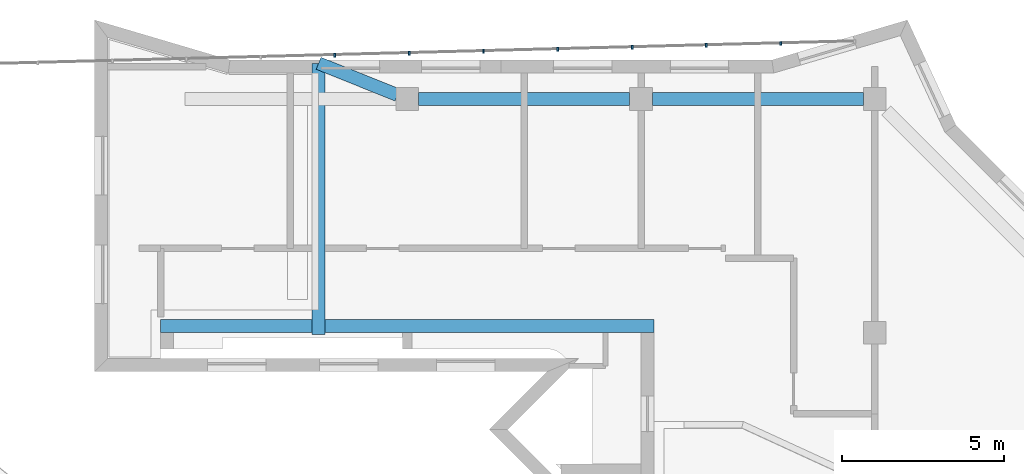
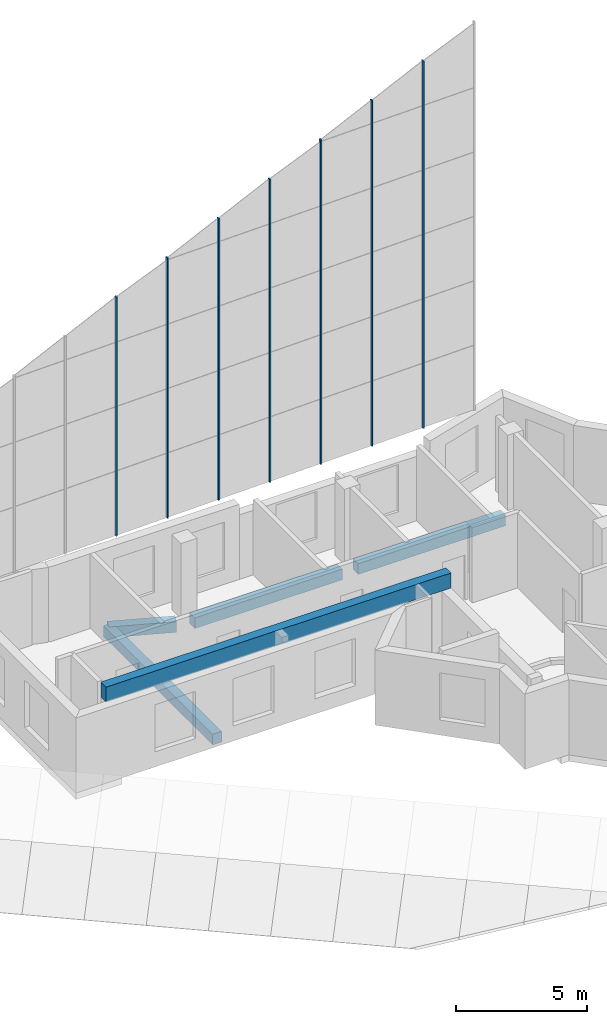
# One storey, part 3 of 13: 7 members, 5 beams, 1 element without a shape of its own.
"""IFC4 building model written with IfcOpenShell, lengths in metres."""

from ifc_helpers import new_model, si_unit, direction, frame, origin, origin_2d, place, context, subcontext, project, spatial, rectangle, extrude, material, material_profile, profile_set, type_object, element, aggregate, save


model = new_model("IFC4")

# Units and contexts
model_context = context("Model", 3, precision=1e-05, world=origin(), true_north=direction((0.0, 1.0)))
body_context = subcontext(model_context, "Body", "Model", "MODEL_VIEW")
ifc_project = project(units=[si_unit("LENGTHUNIT", "METRE"), si_unit("AREAUNIT", "SQUARE_METRE"), si_unit("VOLUMEUNIT", "CUBIC_METRE"), si_unit("PLANEANGLEUNIT", "RADIAN"), si_unit("MASSUNIT", "GRAM", prefix="KILO")], contexts=[model_context])

# Site, building, storey
site_placement = place(None, origin())
site = spatial("IfcSite", under=ifc_project, at=site_placement, CompositionType="ELEMENT")
building_placement = place(site_placement, origin())
building = spatial("IfcBuilding", under=site, at=building_placement, Name="Windrow Commons", CompositionType="ELEMENT")
storey_placement = place(building_placement, frame((0.0, 0.0, 302.0)))
storey = spatial("IfcBuildingStorey", under=building, at=storey_placement, Name="L82", CompositionType="ELEMENT", Elevation=302.0)

# Curtain wall, members
ifc_material_1 = material(Name="Laminated glass in anodised aluminium frame", Category="aluminium")
curtain_wall_type = type_object("IfcCurtainWallType", Name="Curtain wall crown terrace screen", PredefinedType="USERDEFINED", material=ifc_material_1)
curtain_wall_placement = place(storey_placement, origin())
curtain_wall = element("IfcCurtainWall", 1, at=curtain_wall_placement, inside=storey, type_object=curtain_wall_type, Name="Glazed crown screen L82", ObjectType="STICK", PredefinedType="USERDEFINED")
ifc_material_2 = material(Name="Anodised aluminium", Category="aluminium")
ifc_material_profile_1 = material_profile(ifc_material_2, rectangle(XDim=0.06, YDim=0.12, at=origin_2d()))
ifc_profile_set_1 = profile_set([ifc_material_profile_1], Name="Anodised aluminium")
member_type = type_object("IfcMemberType", Name="Crown screen mullion 60x120", PredefinedType="MULLION", material=ifc_profile_set_1)
member_1_placement = place(storey_placement, frame((62.5706, 73.3495, 3.5), z_axis=(0.0, 0.0, 1.0), x_axis=(1.0, 0.0, 0.0)))
member_1 = element("IfcMember", 2, at=member_1_placement, type_object=member_type, Name="Crown screen mullion L82", PredefinedType="MULLION", context=body_context, shape_type="SweptSolid", body=[
    extrude(rectangle(XDim=0.06, YDim=0.12, at=origin_2d()), origin(), (0.0, 0.0, 1.0), 11.1431),
])
member_2_placement = place(storey_placement, frame((64.8589, 73.4096, 3.5), z_axis=(0.0, 0.0, 1.0), x_axis=(1.0, 0.0, 0.0)))
member_2 = element("IfcMember", 3, at=member_2_placement, type_object=member_type, Name="Crown screen mullion L82", PredefinedType="MULLION", context=body_context, shape_type="SweptSolid", body=[
    extrude(rectangle(XDim=0.06, YDim=0.12, at=origin_2d()), origin(), (0.0, 0.0, 1.0), 12.139),
])
member_3_placement = place(storey_placement, frame((67.1473, 73.4697, 3.5), z_axis=(0.0, 0.0, 1.0), x_axis=(1.0, 0.0, 0.0)))
member_3 = element("IfcMember", 4, at=member_3_placement, type_object=member_type, Name="Crown screen mullion L82", PredefinedType="MULLION", context=body_context, shape_type="SweptSolid", body=[
    extrude(rectangle(XDim=0.06, YDim=0.12, at=origin_2d()), origin(), (0.0, 0.0, 1.0), 13.1349),
])
member_4_placement = place(storey_placement, frame((69.4356, 73.5299, 3.5), z_axis=(0.0, 0.0, 1.0), x_axis=(1.0, 0.0, 0.0)))
member_4 = element("IfcMember", 5, at=member_4_placement, type_object=member_type, Name="Crown screen mullion L82", PredefinedType="MULLION", context=body_context, shape_type="SweptSolid", body=[
    extrude(rectangle(XDim=0.06, YDim=0.12, at=origin_2d()), origin(), (0.0, 0.0, 1.0), 14.1308),
])
member_5_placement = place(storey_placement, frame((71.7239, 73.59, 3.5), z_axis=(0.0, 0.0, 1.0), x_axis=(1.0, 0.0, 0.0)))
member_5 = element("IfcMember", 6, at=member_5_placement, type_object=member_type, Name="Crown screen mullion L82", PredefinedType="MULLION", context=body_context, shape_type="SweptSolid", body=[
    extrude(rectangle(XDim=0.06, YDim=0.12, at=origin_2d()), origin(), (0.0, 0.0, 1.0), 15.1267),
])
member_6_placement = place(storey_placement, frame((74.0123, 73.6501, 3.5), z_axis=(0.0, 0.0, 1.0), x_axis=(1.0, 0.0, 0.0)))
member_6 = element("IfcMember", 7, at=member_6_placement, type_object=member_type, Name="Crown screen mullion L82", PredefinedType="MULLION", context=body_context, shape_type="SweptSolid", body=[
    extrude(rectangle(XDim=0.06, YDim=0.12, at=origin_2d()), origin(), (0.0, 0.0, 1.0), 16.1226),
])
member_7_placement = place(storey_placement, frame((76.3006, 73.7102, 3.5), z_axis=(0.0, 0.0, 1.0), x_axis=(1.0, 0.0, 0.0)))
member_7 = element("IfcMember", 8, at=member_7_placement, type_object=member_type, Name="Crown screen mullion L82", PredefinedType="MULLION", context=body_context, shape_type="SweptSolid", body=[
    extrude(rectangle(XDim=0.06, YDim=0.12, at=origin_2d()), origin(), (0.0, 0.0, 1.0), 17.1185),
])
aggregate(curtain_wall, [member_1, member_2, member_3, member_4, member_5, member_6, member_7])

# Beams
ifc_material_3 = material(Name="Concrete C40/50", Category="concrete")
ifc_material_profile_2 = material_profile(ifc_material_3, rectangle(XDim=0.4, YDim=0.7, at=origin_2d()))
ifc_profile_set_2 = profile_set([ifc_material_profile_2], Name="Concrete C40/50")
beam_type_1 = type_object("IfcBeamType", Name="RC COUPLING BEAM 400x700 C40/50", PredefinedType="LINTEL", material=ifc_profile_set_2)
beam_1_placement = place(storey_placement, frame((57.2, 65.0, 3.15), z_axis=(1.0, 0.0, 0.0), x_axis=(0.0, 1.0, 0.0)))
element("IfcBeam", 9, at=beam_1_placement, inside=storey, type_object=beam_type_1, Name="Core A coupling beam outer-N", PredefinedType="LINTEL", context=body_context, shape_type="SweptSolid", body=[
    extrude(rectangle(XDim=0.4, YDim=0.7, at=origin_2d()), origin(), (0.0, 0.0, 1.0), 15.2),
])
ifc_material_4 = material(Name="Concrete C40/50", Category="concrete")
ifc_material_profile_3 = material_profile(ifc_material_4, rectangle(XDim=0.4, YDim=0.5, at=origin_2d()))
ifc_profile_set_3 = profile_set([ifc_material_profile_3], Name="Concrete C40/50")
beam_type_2 = type_object("IfcBeamType", Name="RC EDGE BEAM 400x500 C40/50", PredefinedType="SPANDREL", material=ifc_profile_set_3)
beam_2_placement = place(storey_placement, frame((62.067, 73.1, -0.55), z_axis=(0.0, -1.0, 0.0), x_axis=(1.0, 0.0, 0.0)))
element("IfcBeam", 10, at=beam_2_placement, inside=storey, type_object=beam_type_2, Name="Terrace base beam TR-L82-1", PredefinedType="SPANDREL", context=body_context, shape_type="SweptSolid", body=[
    extrude(rectangle(XDim=0.4, YDim=0.5, at=origin_2d()), origin(), (0.0, 0.0, 1.0), 8.35),
])
beam_3_placement = place(storey_placement, frame((64.4964, 72.1222, -0.55), z_axis=(-0.9276792496, 0.3733781058, 0.0), x_axis=(-0.3733781058, -0.9276792496, 0.0)))
element("IfcBeam", 11, at=beam_3_placement, inside=storey, type_object=beam_type_2, Name="Terrace base bracket beam TR-L82-1.1", PredefinedType="SPANDREL", context=body_context, shape_type="SweptSolid", body=[
    extrude(rectangle(XDim=0.4, YDim=0.5, at=origin_2d()), origin(), (0.0, 0.0, 1.0), 2.6188),
])
for number, where, z_axis, x_axis, name in (
    (12, (65.15, 72.0, -0.55), (1.0, 0.0, 0.0), (0.0, 1.0, 0.0), "Edge beam L82 002"),
    (13, (72.35, 72.0, -0.55), (1.0, 0.0, 0.0), (0.0, 1.0, 0.0), "Edge beam L82 003"),
):
    element("IfcBeam", number, at=place(storey_placement, frame(where, z_axis=z_axis, x_axis=x_axis)), inside=storey, type_object=beam_type_2, Name=name, PredefinedType="SPANDREL", context=body_context, shape_type="SweptSolid", body=[
        extrude(rectangle(XDim=0.4, YDim=0.5, at=origin_2d()), origin(), (0.0, 0.0, 1.0), 6.5),
    ])

save(model, "model.ifc")
